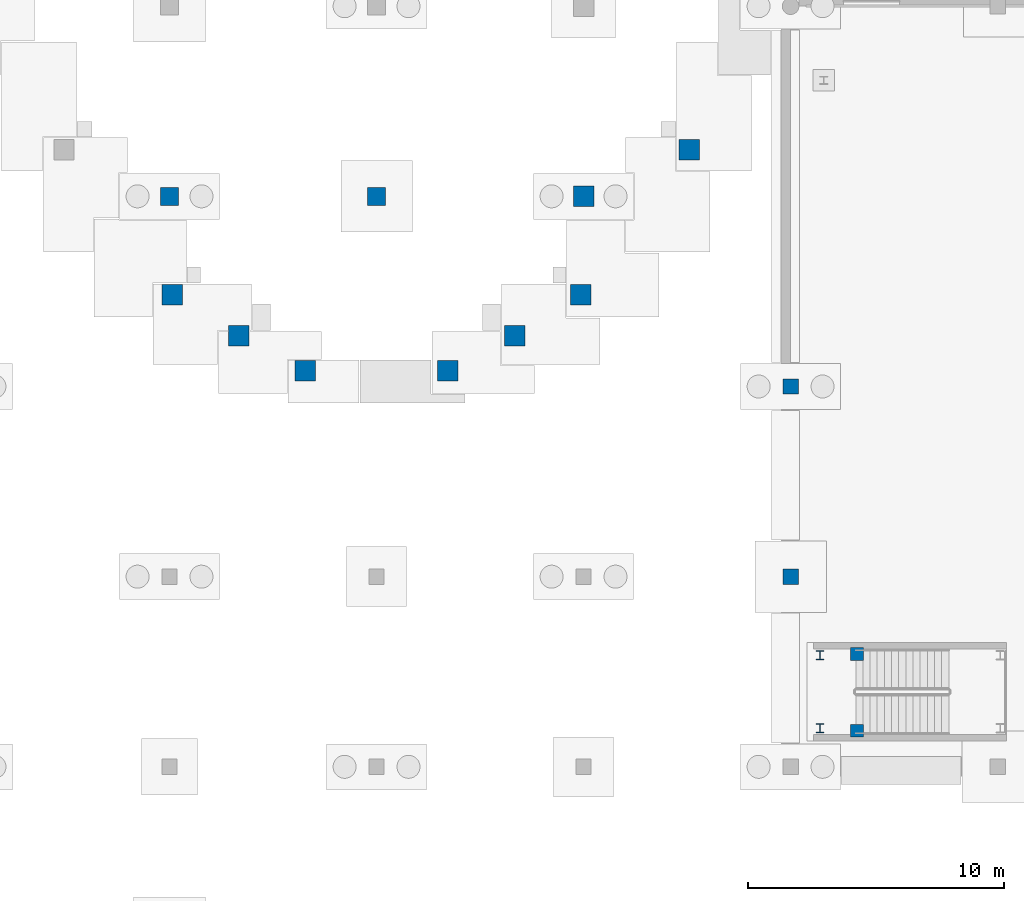
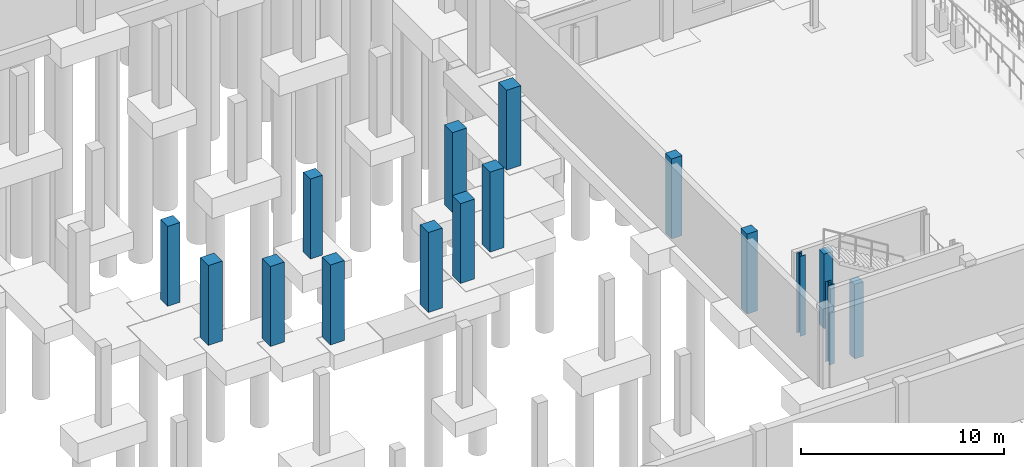
# One storey, part 11 of 37: 16 columns.
"""IFC4 building model written with IfcOpenShell, lengths in metres."""

from ifc_helpers import new_model, si_unit, direction, frame, origin, origin_2d, place, context, subcontext, project, spatial, rectangle, i_section, extrude, material, material_profile, profile_set, type_object, element, save


model = new_model("IFC4")

# Units and contexts
model_context = context("Model", 3, precision=1e-05, world=origin(), true_north=direction((0.0, 1.0)))
body_context = subcontext(model_context, "Body", "Model", "MODEL_VIEW")
ifc_project = project(units=[si_unit("LENGTHUNIT", "METRE"), si_unit("AREAUNIT", "SQUARE_METRE"), si_unit("VOLUMEUNIT", "CUBIC_METRE"), si_unit("PLANEANGLEUNIT", "RADIAN"), si_unit("MASSUNIT", "GRAM", prefix="KILO")], contexts=[model_context])

# Site, building, storey
site_placement = place(None, origin())
site = spatial("IfcSite", under=ifc_project, at=site_placement, CompositionType="ELEMENT")
building_placement = place(site_placement, origin())
building = spatial("IfcBuilding", under=site, at=building_placement, Name="Kaelora Sail Theatre", CompositionType="ELEMENT")
storey_placement = place(building_placement, frame((0.0, 0.0, -4.800048828125)))
storey = spatial("IfcBuildingStorey", under=building, at=storey_placement, Name="B1", CompositionType="ELEMENT", Elevation=-4.800048828125)

# Columns
ifc_material_1 = material(Name="Steel S355", Category="steel")
ifc_material_profile_1 = material_profile(ifc_material_1, i_section(OverallWidth=0.300048828125, OverallDepth=0.360107421875, WebThickness=0.012451171875, FlangeThickness=0.0224609375, FilletRadius=0.027099609375, at=origin_2d()), Name="HEB 360")
ifc_profile_set_1 = profile_set([ifc_material_profile_1], Name="Steel S355")
column_type_1 = type_object("IfcColumnType", Name="STR-COL-C-HEB360", PredefinedType="COLUMN", material=ifc_profile_set_1)
for number, where, z_axis, x_axis, name in (
    (1, (59.35009765625, 10.449951171875, 0.0), (0.0, 0.0, 1.0), (1.0, 0.0, 0.0), "Feature stair ST-PLZ support column SW (B1)"),
    (2, (59.35009765625, 13.300048828125, 0.0), (0.0, 0.0, 1.0), (1.0, 0.0, 0.0), "Feature stair ST-PLZ support column NW (B1)"),
):
    element("IfcColumn", number, at=place(storey_placement, frame(where, z_axis=z_axis, x_axis=x_axis)), inside=storey, type_object=column_type_1, Name=name, PredefinedType="COLUMN", context=body_context, shape_type="SweptSolid", body=[
        extrude(i_section(OverallWidth=0.300048828125, OverallDepth=0.360107421875, WebThickness=0.012451171875, FlangeThickness=0.0224609375, FilletRadius=0.027099609375, at=origin_2d()), origin(), (0.0, 0.0, 1.0), 4.800048828125),
    ])
ifc_material_2 = material(Name="Concrete C40/50", Category="concrete")
ifc_material_profile_2 = material_profile(ifc_material_2, rectangle(XDim=0.5, YDim=0.5, at=origin_2d()), Name="RC-COL 500x500")
ifc_profile_set_2 = profile_set([ifc_material_profile_2], Name="Concrete C40/50")
column_type_2 = type_object("IfcColumnType", Name="STR-COL-C-RC500", PredefinedType="COLUMN", material=ifc_profile_set_2)
for number, where, z_axis, x_axis, name in (
    (3, (60.800048828125, 10.35009765625, 0.0), (0.0, 0.0, 1.0), (1.0, 0.0, 0.0), "Accessible plaza ramp pier STPLZ-E1"),
    (4, (60.800048828125, 13.35009765625, 0.0), (0.0, 0.0, 1.0), (1.0, 0.0, 0.0), "Accessible plaza ramp pier STPLZ-E2"),
):
    element("IfcColumn", number, at=place(storey_placement, frame(where, z_axis=z_axis, x_axis=x_axis)), inside=storey, type_object=column_type_2, Name=name, PredefinedType="COLUMN", context=body_context, shape_type="SweptSolid", body=[
        extrude(rectangle(XDim=0.5, YDim=0.5, at=origin_2d()), origin(), (0.0, 0.0, 1.0), 4.47998046875),
    ])
ifc_material_3 = material(Name="Concrete C40/50", Category="concrete")
ifc_material_profile_3 = material_profile(ifc_material_3, rectangle(XDim=0.60009765625, YDim=0.60009765625, at=origin_2d()), Name="RC-COL 600x600")
ifc_profile_set_3 = profile_set([ifc_material_profile_3], Name="Concrete C40/50")
column_type_3 = type_object("IfcColumnType", Name="STR-COL-C-RC600", PredefinedType="COLUMN", material=ifc_profile_set_3)
for number, where, z_axis, x_axis, name in (
    (5, (58.199951171875, 16.3798828125, 0.0), (0.0, 0.0, 1.0), (1.0, 0.0, 0.0), "Column 8/C (B1)"),
    (6, (58.199951171875, 23.820068359375, 0.0), (0.0, 0.0, 1.0), (1.0, 0.0, 0.0), "Column 8/D (B1)"),
):
    element("IfcColumn", number, at=place(storey_placement, frame(where, z_axis=z_axis, x_axis=x_axis)), inside=storey, type_object=column_type_3, Name=name, PredefinedType="COLUMN", context=body_context, shape_type="SweptSolid", body=[
        extrude(rectangle(XDim=0.60009765625, YDim=0.60009765625, at=origin_2d()), origin(), (0.0, 0.0, 1.0), 4.800048828125),
    ])
ifc_material_4 = material(Name="Concrete C45/55", Category="concrete")
ifc_material_profile_4 = material_profile(ifc_material_4, rectangle(XDim=0.699951171875, YDim=0.699951171875, at=origin_2d()), Name="RC-COL 700x700")
ifc_profile_set_4 = profile_set([ifc_material_profile_4], Name="Concrete C45/55")
column_type_4 = type_object("IfcColumnType", Name="STR-COL-C-RC700", PredefinedType="COLUMN", material=ifc_profile_set_4)
for number, where, z_axis, x_axis, name in (
    (7, (33.89990234375, 31.260009765625, 0.0), (0.0, 0.0, 1.0), (1.0, 0.0, 0.0), "Column 5/E (B1)"),
    (8, (42.0, 31.260009765625, 0.0), (0.0, 0.0, 1.0), (1.0, 0.0, 0.0), "Column 6/E (B1)"),
):
    element("IfcColumn", number, at=place(storey_placement, frame(where, z_axis=z_axis, x_axis=x_axis)), inside=storey, type_object=column_type_4, Name=name, PredefinedType="COLUMN", context=body_context, shape_type="SweptSolid", body=[
        extrude(rectangle(XDim=0.699951171875, YDim=0.699951171875, at=origin_2d()), origin(), (0.0, 0.0, 1.0), 4.800048828125),
    ])
ifc_material_5 = material(Name="Concrete C50/60", Category="concrete")
ifc_material_profile_5 = material_profile(ifc_material_5, rectangle(XDim=0.800048828125, YDim=0.800048828125, at=origin_2d()), Name="RC-COL 800x800")
ifc_profile_set_5 = profile_set([ifc_material_profile_5], Name="Concrete C50/60")
column_type_5 = type_object("IfcColumnType", Name="STR-COL-C-RC800", PredefinedType="COLUMN", material=ifc_profile_set_5)
for number, where, z_axis, x_axis, name in (
    (9, (50.10009765625, 31.260009765625, 0.0), (0.0, 0.0, 1.0), (1.0, 0.0, 0.0), "Column 7/E (B1)"),
    (10, (54.228759765625, 33.08349609375, 0.0), (0.0, 0.0, 1.0), (1.0, 0.0, 0.0), "Main drum perimeter column MK06 (B1)"),
    (11, (49.997314453125, 27.403076171875, 0.0), (0.0, 0.0, 1.0), (1.0, 0.0, 0.0), "Main drum perimeter column MK08 (B1)"),
    (12, (44.78271484375, 24.436767578125, 0.0), (0.0, 0.0, 1.0), (1.0, 0.0, 0.0), "Main drum perimeter column MK10 (B1)"),
    (13, (39.21728515625, 24.436767578125, 0.0), (0.0, 0.0, 1.0), (1.0, 0.0, 0.0), "Main drum perimeter column MK12 (B1)"),
    (14, (34.002685546875, 27.403076171875, 0.0), (0.0, 0.0, 1.0), (1.0, 0.0, 0.0), "Main drum perimeter column MK14 (B1)"),
    (15, (36.60009765625, 25.800048828125, 0.0), (0.0, 0.0, 1.0), (1.0, 0.0, 0.0), "Main shell prow fulcrum column W (B1)"),
    (16, (47.39990234375, 25.800048828125, 0.0), (0.0, 0.0, 1.0), (1.0, 0.0, 0.0), "Main shell prow fulcrum column E (B1)"),
):
    element("IfcColumn", number, at=place(storey_placement, frame(where, z_axis=z_axis, x_axis=x_axis)), inside=storey, type_object=column_type_5, Name=name, PredefinedType="COLUMN", context=body_context, shape_type="SweptSolid", body=[
        extrude(rectangle(XDim=0.800048828125, YDim=0.800048828125, at=origin_2d()), origin(), (0.0, 0.0, 1.0), 4.800048828125),
    ])

save(model, "model.ifc")
